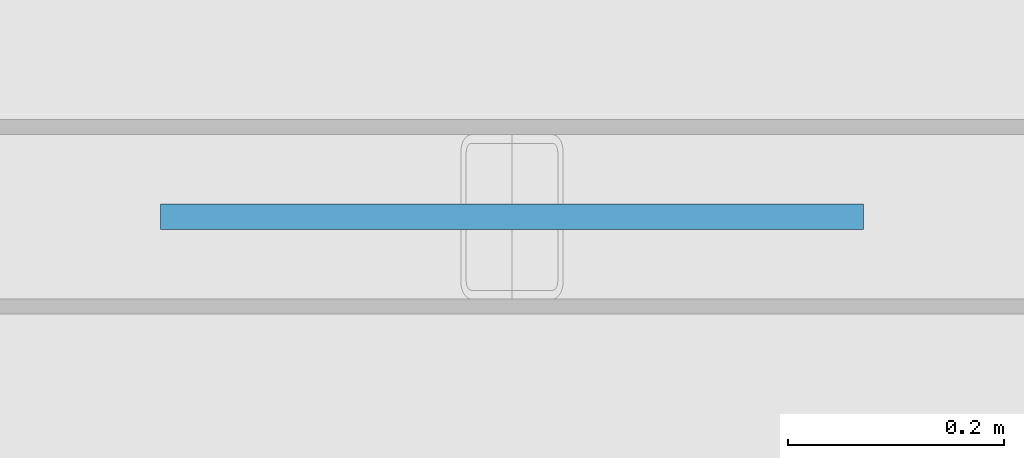
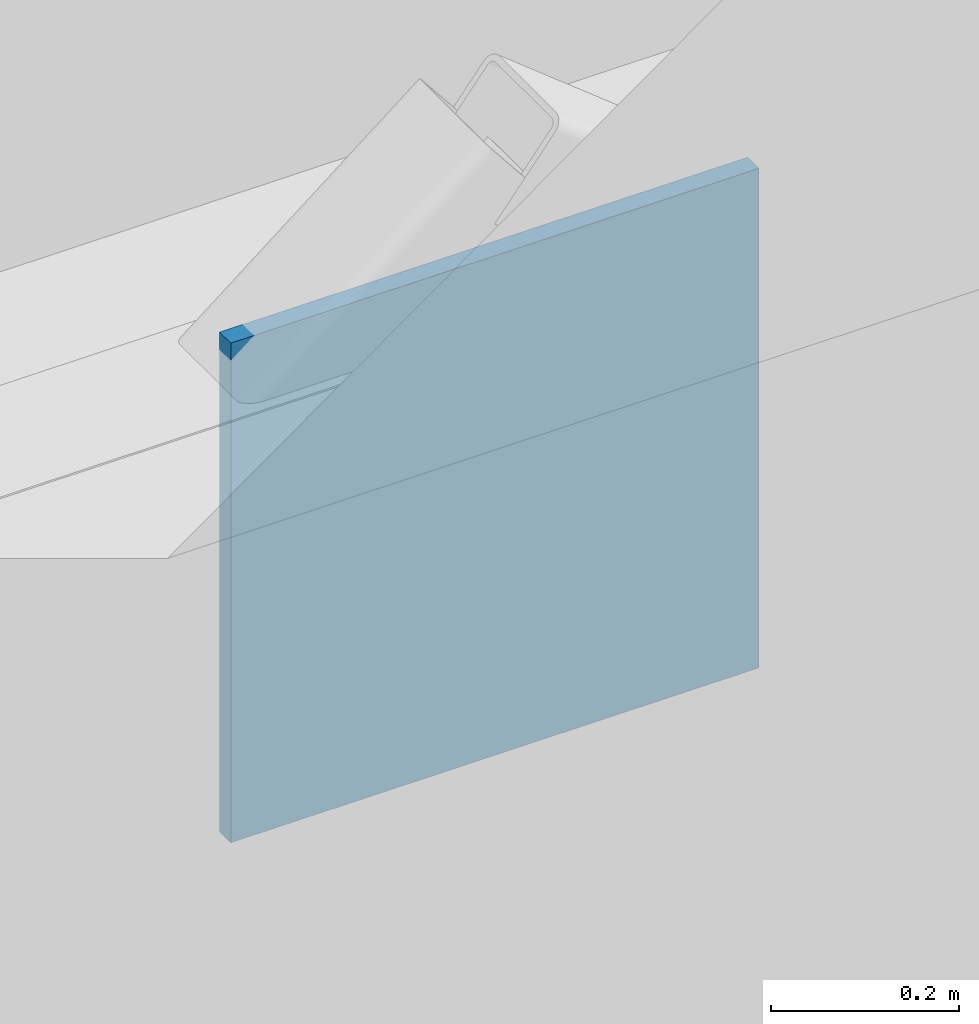
# One storey, part 62 of 89: 1 plate.
"""IFC4 building model written with IfcOpenShell, lengths in metres."""

from ifc_helpers import new_model, si_unit, direction, frame, origin, origin_2d, place, context, subcontext, project, spatial, rectangle, extrude, material, layer, layer_set, type_object, element, save


model = new_model("IFC4")

# Units and contexts
model_context = context("Model", 3, precision=1e-05, world=origin(), true_north=direction((0.0, 1.0)))
body_context = subcontext(model_context, "Body", "Model", "MODEL_VIEW")
ifc_project = project(units=[si_unit("LENGTHUNIT", "METRE"), si_unit("AREAUNIT", "SQUARE_METRE"), si_unit("VOLUMEUNIT", "CUBIC_METRE"), si_unit("PLANEANGLEUNIT", "RADIAN"), si_unit("MASSUNIT", "GRAM", prefix="KILO")], contexts=[model_context])

# Site, building, storey
site_placement = place(None, origin())
site = spatial("IfcSite", under=ifc_project, at=site_placement, CompositionType="ELEMENT")
building_placement = place(site_placement, origin())
building = spatial("IfcBuilding", under=site, at=building_placement, Name="Vaudrelin Polytechnic", CompositionType="ELEMENT")
storey_placement = place(building_placement, frame((0.0, 0.0, 9.68994140625)))
storey = spatial("IfcBuildingStorey", under=building, at=storey_placement, Name="L02", CompositionType="ELEMENT", Elevation=9.68994140625)

# Plate
ifc_material = material(Name="Steel CSA G40.21 350WT", Category="steel")
ifc_layer = layer(ifc_material, 0.02392578125)
ifc_layer_set = layer_set([ifc_layer], Name="Steel CSA G40.21 350WT")
plate_type = type_object("IfcPlateType", Name="PLT-GP-01", PredefinedType="USERDEFINED", material=ifc_layer_set)
plate_placement = place(storey_placement, frame((166.050048828125, 48.60009765625, 2.580078125), z_axis=(0.0, 0.0, 1.0), x_axis=(1.0, 0.0, 0.0)))
element("IfcPlate", 1, at=plate_placement, inside=storey, type_object=plate_type, Name="Braced-frame apex gusset plate GP-BF12", ObjectType="GUSSET PLATE", PredefinedType="USERDEFINED", context=body_context, shape_type="SweptSolid", body=[
    extrude(rectangle(XDim=0.64990234375, YDim=0.02392578125, at=origin_2d()), origin(), (0.0, 0.0, 1.0), 0.64990234375),
])

save(model, "model.ifc")
